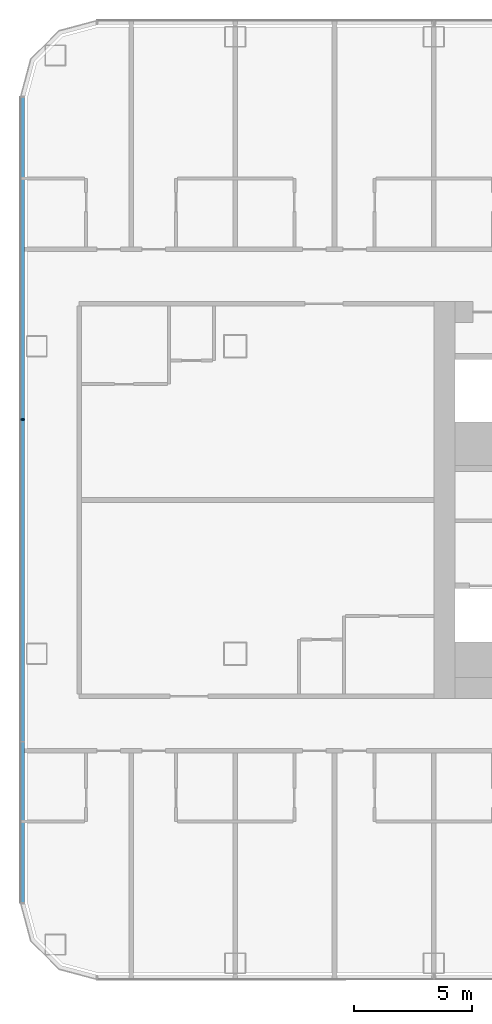
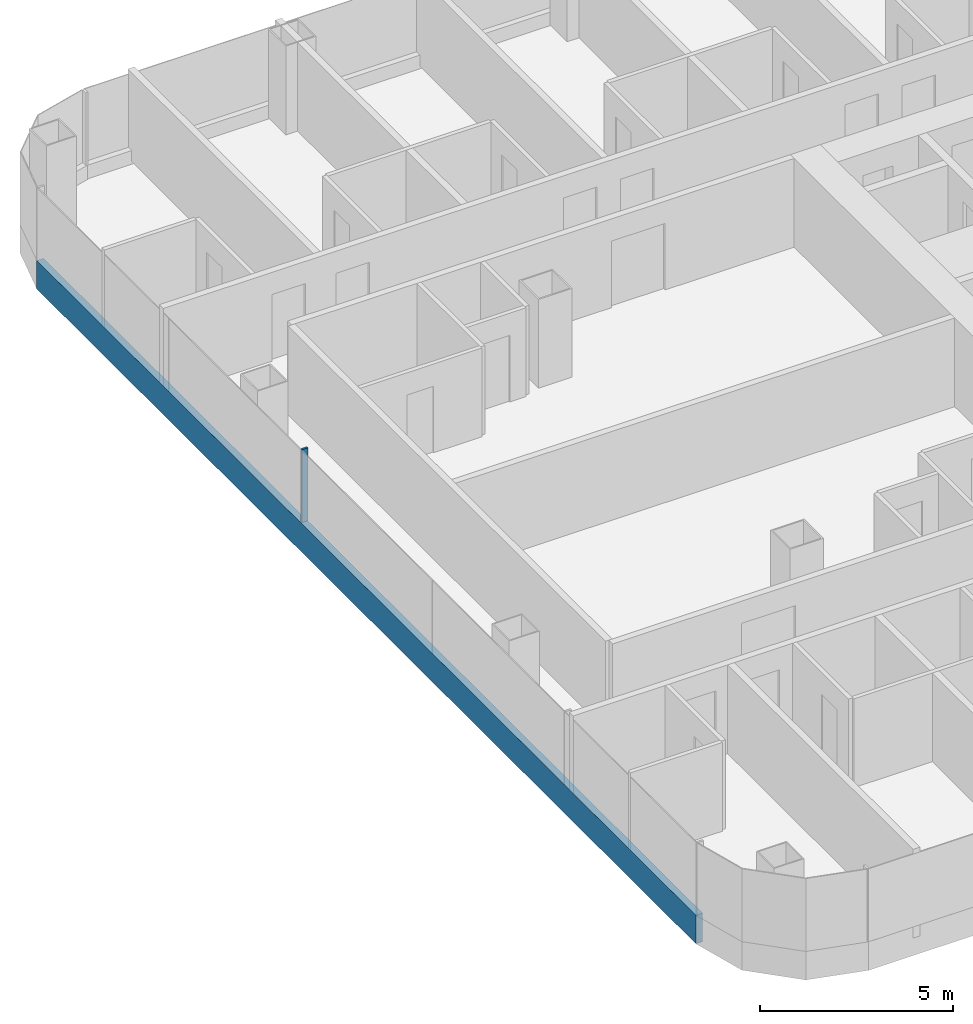
# One storey, part 3 of 29: 2 members, 1 element without a shape of its own.
"""IFC4 building model written with IfcOpenShell, lengths in metres."""

from ifc_helpers import new_model, si_unit, direction, frame, origin, origin_2d, place, context, subcontext, project, spatial, rectangle, extrude, material, layer, layer_set, material_profile, profile_set, type_object, element, aggregate, save


model = new_model("IFC4")

# Units and contexts
model_context = context("Model", 3, precision=1e-05, world=origin(), true_north=direction((0.0, 1.0)))
body_context = subcontext(model_context, "Body", "Model", "MODEL_VIEW")
ifc_project = project(units=[si_unit("LENGTHUNIT", "METRE"), si_unit("AREAUNIT", "SQUARE_METRE"), si_unit("VOLUMEUNIT", "CUBIC_METRE"), si_unit("PLANEANGLEUNIT", "RADIAN"), si_unit("MASSUNIT", "GRAM", prefix="KILO")], contexts=[model_context])

# Site, building, storey
site_placement = place(None, origin())
site = spatial("IfcSite", under=ifc_project, at=site_placement, CompositionType="ELEMENT")
building_placement = place(site_placement, origin())
building = spatial("IfcBuilding", under=site, at=building_placement, Name="Hakoniwa Tower and Hamabe Station Hall", CompositionType="ELEMENT")
storey_placement = place(building_placement, frame((0.0, 0.0, 55.0)))
storey = spatial("IfcBuildingStorey", under=building, at=storey_placement, Name="L15", CompositionType="ELEMENT", Elevation=55.0)

# Curtain wall, members
ifc_material_1 = material(Name="Dark low-e laminated glass", Category="glass")
ifc_layer = layer(ifc_material_1, 0.199951171875)
ifc_layer_set = layer_set([ifc_layer], Name="CW-1 UNITISED GUEST")
curtain_wall_type = type_object("IfcCurtainWallType", Name="CW-1 UNITISED GUEST", PredefinedType="NOTDEFINED", material=ifc_layer_set)
curtain_wall_placement = place(storey_placement, origin())
curtain_wall = element("IfcCurtainWall", 1, at=curtain_wall_placement, inside=storey, type_object=curtain_wall_type, Name="CW-1 curtain wall", PredefinedType="NOTDEFINED")
ifc_material_2 = material(Name="Aluminium 6063-T5 black anodised", Category="aluminium")
ifc_material_profile_1 = material_profile(ifc_material_2, rectangle(XDim=0.199951171875, YDim=0.89990234375, at=origin_2d()), Name="CW SLAB-EDGE BAND 900X200")
ifc_profile_set_1 = profile_set([ifc_material_profile_1], Name="Aluminium 6063-T5 black anodised")
member_type_1 = type_object("IfcMemberType", Name="CW SLAB-EDGE BAND 900X200", PredefinedType="USERDEFINED", material=ifc_profile_set_1)
member_1_placement = place(storey_placement, frame((-51.0, 17.03955078125, -0.10009765625), z_axis=(0.0, -1.0, 0.0), x_axis=(1.0, 0.0, 0.0)))
member_1 = element("IfcMember", 2, at=member_1_placement, type_object=member_type_1, Name="CW-1 transom", ObjectType="TRANSOM", PredefinedType="USERDEFINED", context=body_context, shape_type="SweptSolid", body=[
    extrude(rectangle(XDim=0.199951171875, YDim=0.89990234375, at=origin_2d()), origin(), (0.0, 0.0, 1.0), 34.0791015625),
])
ifc_material_3 = material(Name="Aluminium 6063-T5 black anodised", Category="aluminium")
ifc_material_profile_2 = material_profile(ifc_material_3, rectangle(XDim=0.06005859375, YDim=0.179931640625, at=origin_2d()), Name="CW-1 MULLION 60X180")
ifc_profile_set_2 = profile_set([ifc_material_profile_2], Name="Aluminium 6063-T5 black anodised")
member_type_2 = type_object("IfcMemberType", Name="CW-1 MULLION 60X180", PredefinedType="MULLION", material=ifc_profile_set_2)
member_2_placement = place(storey_placement, frame((-50.98193359375, 3.407958984375, 0.35009765625), z_axis=(0.0, 0.0, 1.0), x_axis=(0.0, -1.0, 0.0)))
member_2 = element("IfcMember", 3, at=member_2_placement, type_object=member_type_2, Name="CW-1 mullion", PredefinedType="MULLION", context=body_context, shape_type="SweptSolid", body=[
    extrude(rectangle(XDim=0.06005859375, YDim=0.179931640625, at=origin_2d()), origin(), (0.0, 0.0, 1.0), 2.2998046875),
])
aggregate(curtain_wall, [member_2, member_1])

save(model, "model.ifc")
